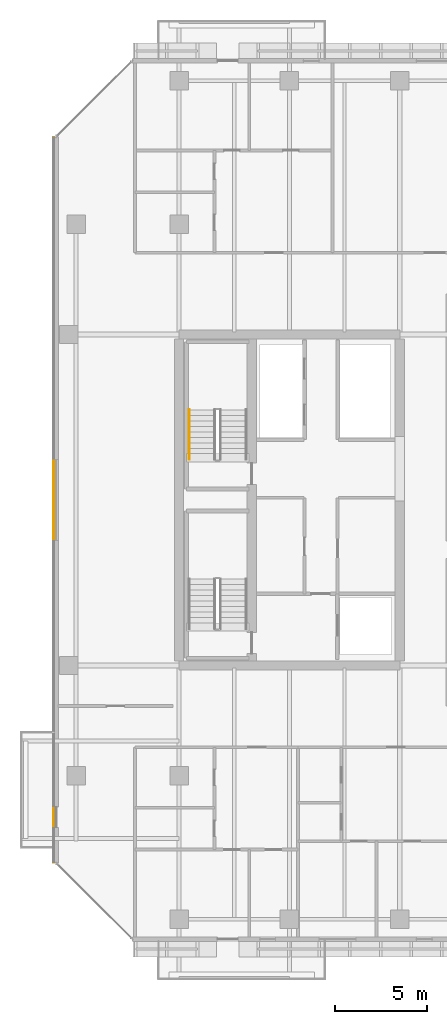
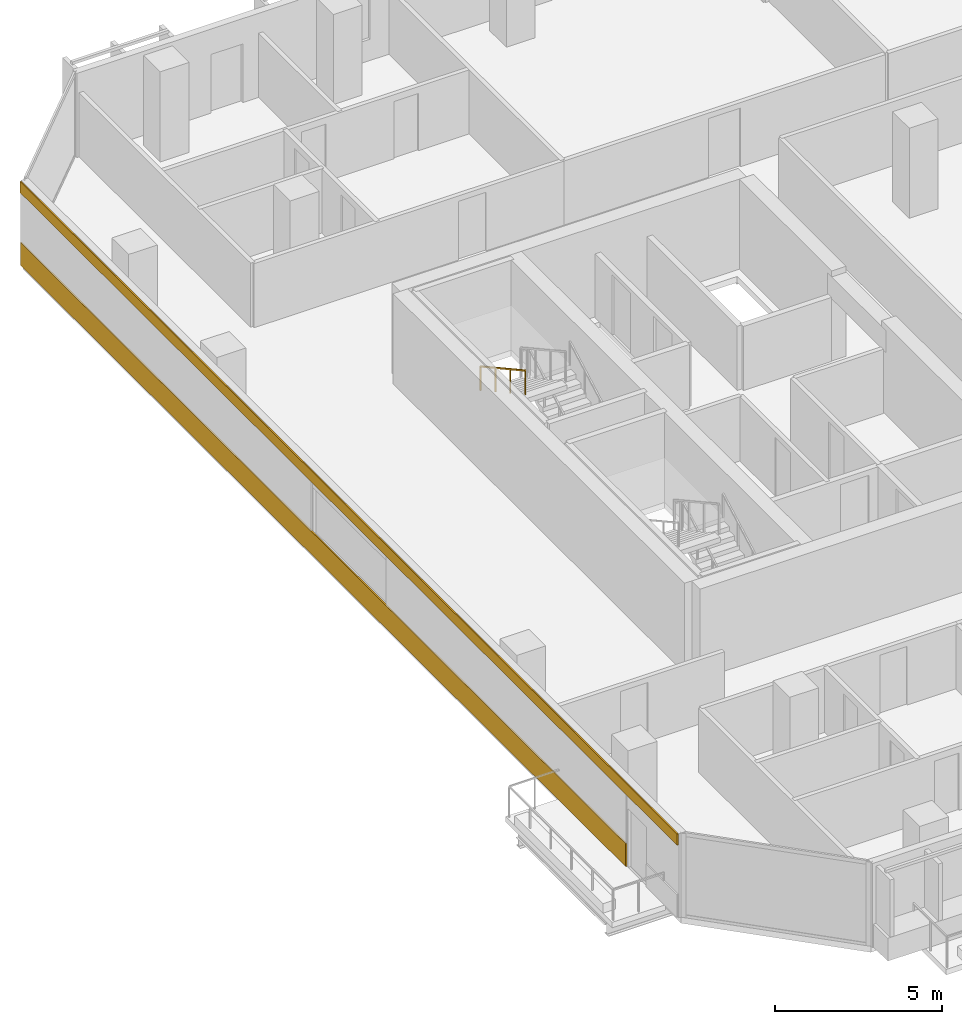
# One storey, part 29 of 33: 2 coverings, 1 railing.
"""IFC4 building model written with IfcOpenShell, lengths in metres."""

from ifc_helpers import new_model, si_unit, direction, frame, origin, origin_2d, place, context, subcontext, project, spatial, rectangle, extrude, material, layer, layer_set, type_object, element, save


model = new_model("IFC4")

# Units and contexts
model_context = context("Model", 3, precision=1e-05, world=origin(), true_north=direction((0.0, 1.0)))
body_context = subcontext(model_context, "Body", "Model", "MODEL_VIEW")
ifc_project = project(units=[si_unit("LENGTHUNIT", "METRE"), si_unit("AREAUNIT", "SQUARE_METRE"), si_unit("VOLUMEUNIT", "CUBIC_METRE"), si_unit("PLANEANGLEUNIT", "RADIAN"), si_unit("MASSUNIT", "GRAM", prefix="KILO")], contexts=[model_context])

# Site, building, storey
site_placement = place(None, origin())
site = spatial("IfcSite", under=ifc_project, at=site_placement, CompositionType="ELEMENT")
building_placement = place(site_placement, origin())
building = spatial("IfcBuilding", under=site, at=building_placement, Name="Tanjung Sevakor Pilgrim Tower", CompositionType="ELEMENT")
storey_placement = place(building_placement, frame((0.0, 0.0, 95.3701171875)))
storey = spatial("IfcBuildingStorey", under=building, at=storey_placement, Name="L26", CompositionType="ELEMENT", Elevation=95.3701171875)

# Coverings
ifc_material_1 = material(Name="Reconstructed Limestone Cladding", Category="masonry")
ifc_layer = layer(ifc_material_1, 0.044921875)
ifc_layer_set = layer_set([ifc_layer], Name="COV-CLAD-LIMESTONE")
covering_type = type_object("IfcCoveringType", Name="COV-CLAD-LIMESTONE", PredefinedType="CLADDING", material=ifc_layer_set)
covering_1_placement = place(storey_placement, frame((17.177490234375, 35.134033203125, 0.009765625), z_axis=(0.0, 0.0, 1.0), x_axis=(0.0, -1.0, 0.0)))
element("IfcCovering", 1, at=covering_1_placement, inside=storey, type_object=covering_type, Name="L26 Warm Limestone Sill Spandrel EW-L26-MAIN-15-1", PredefinedType="CLADDING", context=body_context, shape_type="SweptSolid", body=[
    extrude(rectangle(XDim=36.34814453125, YDim=0.044921875, at=origin_2d()), origin(), (0.0, 0.0, 1.0), 0.840087890625),
])
covering_2_placement = place(storey_placement, frame((17.177490234375, 33.60009765625, 2.66015625), z_axis=(0.0, 0.0, 1.0), x_axis=(0.0, -1.0, 0.0)))
element("IfcCovering", 2, at=covering_2_placement, inside=storey, type_object=covering_type, Name="L26 Warm Limestone Cornice Spandrel EW-L26-MAIN-15", PredefinedType="CLADDING", context=body_context, shape_type="SweptSolid", body=[
    extrude(rectangle(XDim=39.456298828125, YDim=0.044921875, at=origin_2d()), origin(), (0.0, 0.0, 1.0), 0.409912109375),
])

# Railing
ifc_material_2 = material(Name="Steel S355J2", Category="steel")
railing_type = type_object("IfcRailingType", Name="RL-STAIR-HAND", PredefinedType="HANDRAIL", material=ifc_material_2)
railing_placement = place(storey_placement, frame((24.550048828125, 38.5, 1.81494140625)))
element("IfcRailing", 3, at=railing_placement, inside=storey, type_object=railing_type, Name="L26 TS-W2 stair handrail 2", PredefinedType="HANDRAIL", context=body_context, shape_type="SweptSolid", body=[
    extrude(rectangle(XDim=0.0479, YDim=0.0479), frame((0.0, 0.0, 0.8759765625), z_axis=(0.0, -0.876230963923, 0.481891375584), x_axis=(1.0, 0.0, 0.0)), (0.0, 0.0, 1.0), 3.081298828125),
    extrude(rectangle(XDim=0.042, YDim=0.042), origin(), (0.0, 0.0, 1.0), 0.851806640625),
    extrude(rectangle(XDim=0.042, YDim=0.042), frame((0.0, -0.89990234375, 0.494873046875)), (0.0, 0.0, 1.0), 0.851806640625),
    extrude(rectangle(XDim=0.042, YDim=0.042), frame((0.0, -1.800048828125, 0.989990234375)), (0.0, 0.0, 1.0), 0.851806640625),
    extrude(rectangle(XDim=0.042, YDim=0.042), frame((0.0, -2.699951171875, 1.48486328125)), (0.0, 0.0, 1.0), 0.851806640625),
])

save(model, "model.ifc")
